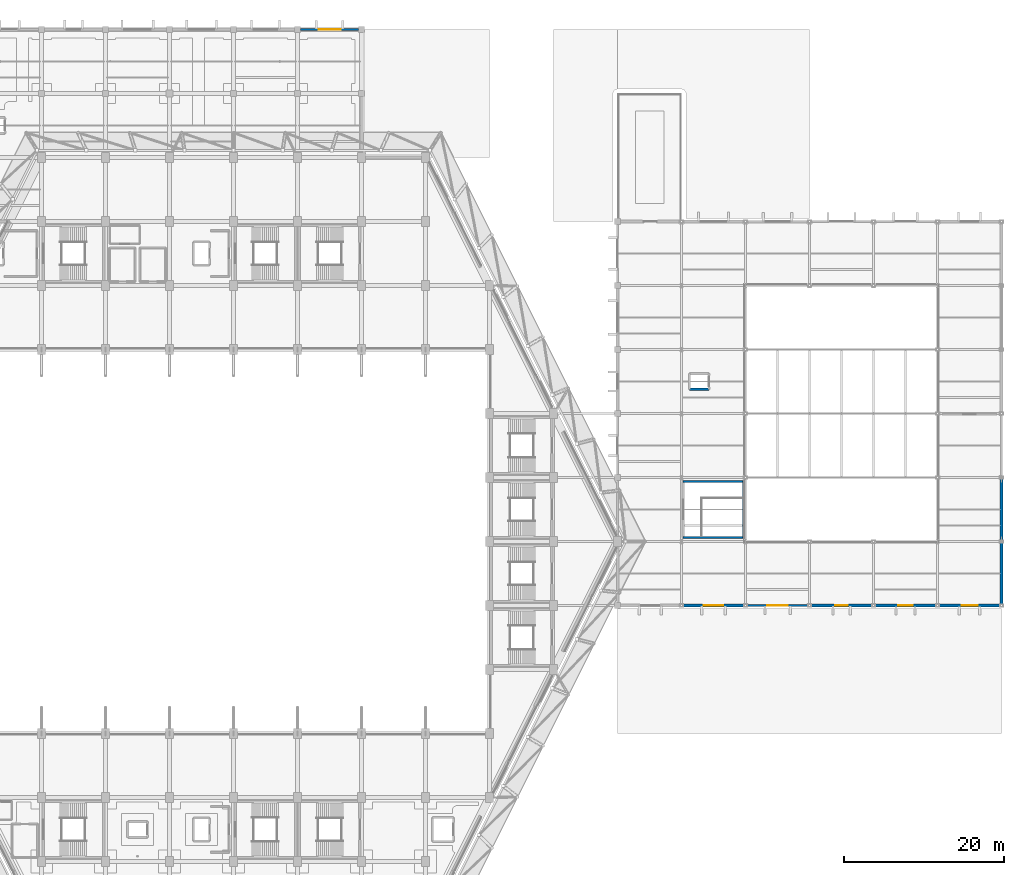
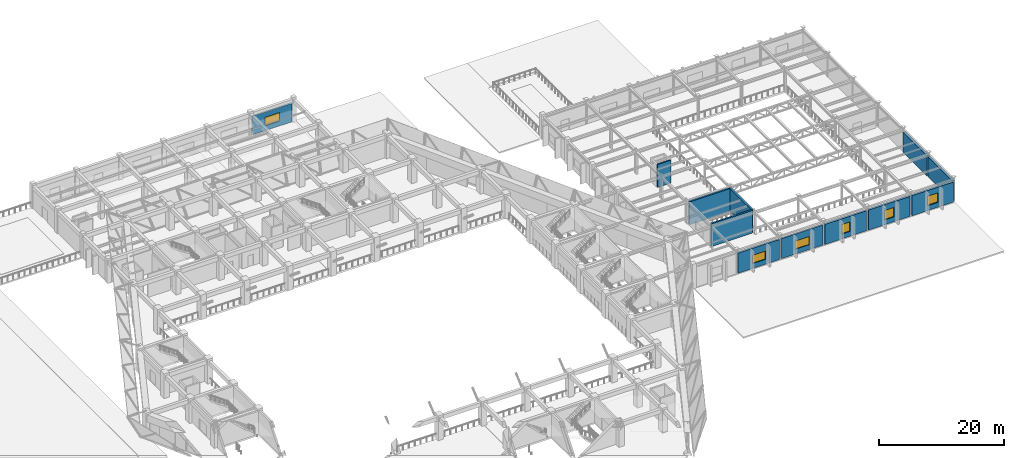
# One storey, part 35 of 46: 12 walls, 6 windows, 6 openings.
"""IFC4 building model written with IfcOpenShell, lengths in metres."""

from ifc_helpers import new_model, si_unit, direction, frame, frame_2d, origin, place, context, subcontext, project, spatial, rectangle, extrude, material, layer, layer_set, type_object, element, fill, save


model = new_model("IFC4")

# Units and contexts
model_context = context("Model", 3, precision=1e-05, world=origin(), true_north=direction((0.0, 1.0)))
body_context = subcontext(model_context, "Body", "Model", "MODEL_VIEW")
ifc_project = project(units=[si_unit("LENGTHUNIT", "METRE"), si_unit("AREAUNIT", "SQUARE_METRE"), si_unit("VOLUMEUNIT", "CUBIC_METRE"), si_unit("PLANEANGLEUNIT", "RADIAN"), si_unit("MASSUNIT", "GRAM", prefix="KILO")], contexts=[model_context])

# Site, building, storey
site_placement = place(None, origin())
site = spatial("IfcSite", under=ifc_project, at=site_placement, CompositionType="ELEMENT")
building_placement = place(site_placement, origin())
building = spatial("IfcBuilding", under=site, at=building_placement, Name="Tazarka Park Arena", CompositionType="ELEMENT")
storey_placement = place(building_placement, frame((0.0, 0.0, 10.199951171875)))
storey = spatial("IfcBuildingStorey", under=building, at=storey_placement, Name="L02", CompositionType="ELEMENT", Elevation=10.199951171875)

# Walls
ifc_material_1 = material(Name="Concrete C40/50", Category="concrete")
ifc_layer_1 = layer(ifc_material_1, 0.300048828125, Name="Concrete C40/50")
ifc_layer_set_1 = layer_set([ifc_layer_1], Name="Concrete C40/50")
wall_type_1 = type_object("IfcWallType", Name="IWAL-CW-S1", PredefinedType="SHEAR", material=ifc_layer_set_1)
for number, where, z_axis, x_axis, name in (
    (1, (151.800048828125, 64.5, 0.0), (0.0, 0.0, 1.0), (-1.0, 0.0, 0.0), "SCW-L02-ST18-S"),
    (2, (144.199951171875, 71.5, 0.0), (0.0, 0.0, 1.0), (1.0, 0.0, 0.0), "SCW-L02-ST18-N"),
):
    element("IfcWall", number, at=place(storey_placement, frame(where, z_axis=z_axis, x_axis=x_axis)), inside=storey, type_object=wall_type_1, Name=name, PredefinedType="SHEAR", context=body_context, shape_type="SweptSolid", body=[
        extrude(rectangle(XDim=7.60009765625, YDim=0.300048828125, at=frame_2d((3.800048828125, 0.0))), origin(), (0.0, 0.0, 1.0), 4.4599609375),
    ])
wall_1_placement = place(storey_placement, frame((151.800048828125, 71.5, 0.0), z_axis=(0.0, 0.0, 1.0), x_axis=(0.0, -1.0, 0.0)))
element("IfcWall", 3, at=wall_1_placement, inside=storey, type_object=wall_type_1, Name="SCW-L02-ST18-E", PredefinedType="SHEAR", context=body_context, shape_type="SweptSolid", body=[
    extrude(rectangle(XDim=7.0, YDim=0.300048828125, at=frame_2d((3.5, 0.0))), origin(), (0.0, 0.0, 1.0), 4.4599609375),
])
ifc_material_2 = material(Name="Concrete C40/50", Category="concrete")
ifc_layer_2 = layer(ifc_material_2, 0.260009765625, Name="Concrete C40/50")
ifc_layer_set_2 = layer_set([ifc_layer_2], Name="Concrete C40/50")
wall_type_2 = type_object("IfcWallType", Name="IWAL-CW-S3", PredefinedType="SHEAR", material=ifc_layer_set_2)
wall_2_placement = place(storey_placement, frame((147.419921875, 83.030029296875, 0.0), z_axis=(0.0, 0.0, 1.0), x_axis=(-1.0, 0.0, 0.0)))
element("IfcWall", 4, at=wall_2_placement, inside=storey, type_object=wall_type_2, Name="LSW-L02-LF-10-S", PredefinedType="SHEAR", context=body_context, shape_type="SweptSolid", body=[
    extrude(rectangle(XDim=2.43994140625, YDim=0.260009765625, at=frame_2d((1.219970703125, 0.0))), origin(), (0.0, 0.0, 1.0), 4.4599609375),
])

# Wall, opening, window
ifc_material_3 = material(Name="Precast concrete C40/50", Category="concrete")
ifc_layer_3 = layer(ifc_material_3, 0.300048828125, Name="Precast concrete C40/50")
ifc_layer_set_3 = layer_set([ifc_layer_3], Name="Precast concrete C40/50")
wall_type_3 = type_object("IfcWallType", Name="WAL-EW-01", PredefinedType="SOLIDWALL", material=ifc_layer_set_3)
wall_3_placement = place(storey_placement, frame((96.35498046875, 128.0, 0.0), z_axis=(0.0, 0.0, 1.0), x_axis=(1.0, 0.0, 0.0)))
wall_3 = element("IfcWall", 5, at=wall_3_placement, inside=storey, type_object=wall_type_3, Name="EW-L02-0224", PredefinedType="SOLIDWALL", context=body_context, shape_type="SweptSolid", body=[
    extrude(rectangle(XDim=7.2900390625, YDim=0.300048828125, at=frame_2d((3.64501953125, 0.0))), origin(), (0.0, 0.0, 1.0), 3.60009765625),
])
opening_1_placement = place(wall_3_placement, frame((2.27001953125, 0.0, 0.949951171875)))
opening_1 = element("IfcOpeningElement", 6, at=opening_1_placement, cuts=wall_3, Name="Opening WN-31", PredefinedType="OPENING", context=body_context, shape_type="SweptSolid", body=[
    extrude(rectangle(XDim=2.75, YDim=1.64990234375, at=frame_2d((1.375, 0.824951171875))), frame((0.0, 0.16015625, 0.0), z_axis=(0.0, -1.0, 0.0), x_axis=(1.0, 0.0, 0.0)), (0.0, 0.0, 1.0), 0.320068359375),
])
ifc_material_4 = material(Name="Thermally broken aluminium and solar-control low-e glazing", Category="aluminium")
window_type_1 = type_object("IfcWindowType", Name="WIN-WN-31", PartitioningType="DOUBLE_PANEL_VERTICAL", PredefinedType="WINDOW", material=ifc_material_4)
window_1_placement = place(opening_1_placement, origin())
window_1 = element("IfcWindow", 7, at=window_1_placement, inside=storey, type_object=window_type_1, Name="WIN-L02-0031", OverallHeight=1.64990234375, OverallWidth=2.75, PartitioningType="SINGLE_PANEL", PredefinedType="WINDOW", context=body_context, shape_type="SweptSolid", body=[
    extrude(rectangle(XDim=2.75, YDim=1.64990234375, at=frame_2d((1.375, 0.824951171875))), frame((0.0, 0.030029296875, 0.0), z_axis=(0.0, -1.0, 0.0), x_axis=(1.0, 0.0, 0.0)), (0.0, 0.0, 1.0), 0.06005859375),
])
fill(opening_1, window_1)

ifc_material_5 = material(Name="Concrete C40/50", Category="concrete")
ifc_layer_4 = layer(ifc_material_5, 0.35009765625, Name="Concrete C40/50")
ifc_layer_set_4 = layer_set([ifc_layer_4], Name="Concrete C40/50")
wall_type_4 = type_object("IfcWallType", Name="WAL-EW-10", PredefinedType="SOLIDWALL", material=ifc_layer_set_4)
wall_4_placement = place(storey_placement, frame((151.81689453125, 56.0, 0.0), z_axis=(0.0, 0.0, 1.0), x_axis=(-1.0, 0.0, 0.0)))
wall_4 = element("IfcWall", 8, at=wall_4_placement, inside=storey, type_object=wall_type_4, Name="EW-L02-0265", PredefinedType="SOLIDWALL", context=body_context, shape_type="SweptSolid", body=[
    extrude(rectangle(XDim=7.6337890625, YDim=0.35009765625, at=frame_2d((3.81689453125, 0.0))), origin(), (0.0, 0.0, 1.0), 3.91015625),
])
opening_2_placement = place(wall_4_placement, frame((2.61669921875, 0.0, 0.949951171875)))
opening_2 = element("IfcOpeningElement", 9, at=opening_2_placement, cuts=wall_4, Name="Opening WN-05", PredefinedType="OPENING", context=body_context, shape_type="SweptSolid", body=[
    extrude(rectangle(XDim=2.39990234375, YDim=1.60009765625, at=frame_2d((1.199951171875, 0.800048828125))), frame((0.0, 0.18505859375, 0.0), z_axis=(0.0, -1.0, 0.0), x_axis=(1.0, 0.0, 0.0)), (0.0, 0.0, 1.0), 0.3701171875),
])
ifc_material_6 = material(Name="Thermally broken aluminium and solar-control low-e glazing", Category="aluminium")
window_type_2 = type_object("IfcWindowType", Name="WIN-WN-05", PartitioningType="DOUBLE_PANEL_VERTICAL", PredefinedType="WINDOW", material=ifc_material_6)
window_2_placement = place(opening_2_placement, origin())
window_2 = element("IfcWindow", 10, at=window_2_placement, inside=storey, type_object=window_type_2, Name="WIN-L02-0041", OverallHeight=1.60009765625, OverallWidth=2.39990234375, PartitioningType="SINGLE_PANEL", PredefinedType="WINDOW", context=body_context, shape_type="SweptSolid", body=[
    extrude(rectangle(XDim=2.39990234375, YDim=1.60009765625, at=frame_2d((1.199951171875, 0.800048828125))), frame((0.0, 0.030029296875, 0.0), z_axis=(0.0, -1.0, 0.0), x_axis=(1.0, 0.0, 0.0)), (0.0, 0.0, 1.0), 0.06005859375),
])
fill(opening_2, window_2)

ifc_material_7 = material(Name="Precast concrete C40/50", Category="concrete")
ifc_layer_5 = layer(ifc_material_7, 0.27001953125, Name="Precast concrete C40/50")
ifc_layer_set_5 = layer_set([ifc_layer_5], Name="Precast concrete C40/50")
wall_type_5 = type_object("IfcWallType", Name="WAL-EW-11", PredefinedType="SOLIDWALL", material=ifc_layer_set_5)
wall_5_placement = place(storey_placement, frame((159.81689453125, 56.0, 0.0), z_axis=(0.0, 0.0, 1.0), x_axis=(-1.0, 0.0, 0.0)))
wall_5 = element("IfcWall", 11, at=wall_5_placement, inside=storey, type_object=wall_type_5, Name="EW-L02-0266", PredefinedType="SOLIDWALL", context=body_context, shape_type="SweptSolid", body=[
    extrude(rectangle(XDim=7.6337890625, YDim=0.27001953125, at=frame_2d((3.81689453125, 0.0))), origin(), (0.0, 0.0, 1.0), 3.91015625),
])
opening_3_placement = place(wall_5_placement, frame((2.516845703125, 0.0, 0.949951171875)))
opening_3 = element("IfcOpeningElement", 12, at=opening_3_placement, cuts=wall_5, Name="Opening WN-06", PredefinedType="OPENING", context=body_context, shape_type="SweptSolid", body=[
    extrude(rectangle(XDim=2.60009765625, YDim=1.60009765625, at=frame_2d((1.300048828125, 0.800048828125))), frame((0.0, 0.14501953125, 0.0), z_axis=(0.0, -1.0, 0.0), x_axis=(1.0, 0.0, 0.0)), (0.0, 0.0, 1.0), 0.2900390625),
])
ifc_material_8 = material(Name="Thermally broken aluminium and solar-control low-e glazing", Category="aluminium")
window_type_3 = type_object("IfcWindowType", Name="WIN-WN-06", PartitioningType="DOUBLE_PANEL_VERTICAL", PredefinedType="WINDOW", material=ifc_material_8)
window_3_placement = place(opening_3_placement, origin())
window_3 = element("IfcWindow", 13, at=window_3_placement, inside=storey, type_object=window_type_3, Name="WIN-L02-0042", OverallHeight=1.60009765625, OverallWidth=2.60009765625, PartitioningType="SINGLE_PANEL", PredefinedType="WINDOW", context=body_context, shape_type="SweptSolid", body=[
    extrude(rectangle(XDim=2.60009765625, YDim=1.60009765625, at=frame_2d((1.300048828125, 0.800048828125))), frame((0.0, 0.030029296875, 0.0), z_axis=(0.0, -1.0, 0.0), x_axis=(1.0, 0.0, 0.0)), (0.0, 0.0, 1.0), 0.06005859375),
])
fill(opening_3, window_3)

ifc_material_9 = material(Name="Concrete C40/50", Category="concrete")
ifc_layer_6 = layer(ifc_material_9, 0.3701171875, Name="Concrete C40/50")
ifc_layer_set_6 = layer_set([ifc_layer_6], Name="Concrete C40/50")
wall_type_6 = type_object("IfcWallType", Name="WAL-EW-12", PredefinedType="SOLIDWALL", material=ifc_layer_set_6)
wall_6_placement = place(storey_placement, frame((167.81689453125, 56.0, 0.0), z_axis=(0.0, 0.0, 1.0), x_axis=(-1.0, 0.0, 0.0)))
wall_6 = element("IfcWall", 14, at=wall_6_placement, inside=storey, type_object=wall_type_6, Name="EW-L02-0267", PredefinedType="SOLIDWALL", context=body_context, shape_type="SweptSolid", body=[
    extrude(rectangle(XDim=7.6337890625, YDim=0.3701171875, at=frame_2d((3.81689453125, 0.0))), origin(), (0.0, 0.0, 1.0), 3.91015625),
])
opening_4_placement = place(wall_6_placement, frame((3.016845703125, 0.0, 0.949951171875)))
opening_4 = element("IfcOpeningElement", 15, at=opening_4_placement, cuts=wall_6, Name="Opening WN-07", PredefinedType="OPENING", context=body_context, shape_type="SweptSolid", body=[
    extrude(rectangle(XDim=1.60009765625, YDim=1.85009765625, at=frame_2d((0.800048828125, 0.925048828125))), frame((0.0, 0.195068359375, 0.0), z_axis=(0.0, -1.0, 0.0), x_axis=(1.0, 0.0, 0.0)), (0.0, 0.0, 1.0), 0.39013671875),
])
ifc_material_10 = material(Name="Thermally broken aluminium and solar-control low-e glazing", Category="aluminium")
window_type_4 = type_object("IfcWindowType", Name="WIN-WN-07", PartitioningType="DOUBLE_PANEL_VERTICAL", PredefinedType="WINDOW", material=ifc_material_10)
window_4_placement = place(opening_4_placement, origin())
window_4 = element("IfcWindow", 16, at=window_4_placement, inside=storey, type_object=window_type_4, Name="WIN-L02-0043", OverallHeight=1.85009765625, OverallWidth=1.60009765625, PartitioningType="SINGLE_PANEL", PredefinedType="WINDOW", context=body_context, shape_type="SweptSolid", body=[
    extrude(rectangle(XDim=1.60009765625, YDim=1.85009765625, at=frame_2d((0.800048828125, 0.925048828125))), frame((0.0, 0.030029296875, 0.0), z_axis=(0.0, -1.0, 0.0), x_axis=(1.0, 0.0, 0.0)), (0.0, 0.0, 1.0), 0.06005859375),
])
fill(opening_4, window_4)

ifc_material_11 = material(Name="Concrete C50/60", Category="concrete")
ifc_layer_7 = layer(ifc_material_11, 0.389892578125, Name="Concrete C50/60")
ifc_layer_set_7 = layer_set([ifc_layer_7], Name="Concrete C50/60")
wall_type_7 = type_object("IfcWallType", Name="WAL-EW-13", PredefinedType="SOLIDWALL", material=ifc_layer_set_7)
wall_7_placement = place(storey_placement, frame((175.81689453125, 56.0, 0.0), z_axis=(0.0, 0.0, 1.0), x_axis=(-1.0, 0.0, 0.0)))
wall_7 = element("IfcWall", 17, at=wall_7_placement, inside=storey, type_object=wall_type_7, Name="EW-L02-0268", PredefinedType="SOLIDWALL", context=body_context, shape_type="SweptSolid", body=[
    extrude(rectangle(XDim=7.6337890625, YDim=0.389892578125, at=frame_2d((3.81689453125, 0.0))), origin(), (0.0, 0.0, 1.0), 3.91015625),
])
opening_5_placement = place(wall_7_placement, frame((2.916748046875, 0.0, 0.949951171875)))
opening_5 = element("IfcOpeningElement", 18, at=opening_5_placement, cuts=wall_7, Name="Opening WN-08", PredefinedType="OPENING", context=body_context, shape_type="SweptSolid", body=[
    extrude(rectangle(XDim=1.800048828125, YDim=1.85009765625, at=frame_2d((0.89990234375, 0.925048828125))), frame((0.0, 0.205078125, 0.0), z_axis=(0.0, -1.0, 0.0), x_axis=(1.0, 0.0, 0.0)), (0.0, 0.0, 1.0), 0.409912109375),
])
ifc_material_12 = material(Name="Thermally broken aluminium and solar-control low-e glazing", Category="aluminium")
window_type_5 = type_object("IfcWindowType", Name="WIN-WN-08", PartitioningType="DOUBLE_PANEL_VERTICAL", PredefinedType="WINDOW", material=ifc_material_12)
window_5_placement = place(opening_5_placement, origin())
window_5 = element("IfcWindow", 19, at=window_5_placement, inside=storey, type_object=window_type_5, Name="WIN-L02-0044", OverallHeight=1.85009765625, OverallWidth=1.800048828125, PartitioningType="SINGLE_PANEL", PredefinedType="WINDOW", context=body_context, shape_type="SweptSolid", body=[
    extrude(rectangle(XDim=1.800048828125, YDim=1.85009765625, at=frame_2d((0.89990234375, 0.925048828125))), frame((0.0, 0.030029296875, 0.0), z_axis=(0.0, -1.0, 0.0), x_axis=(1.0, 0.0, 0.0)), (0.0, 0.0, 1.0), 0.06005859375),
])
fill(opening_5, window_5)

ifc_material_13 = material(Name="Concrete C50/60", Category="concrete")
ifc_layer_8 = layer(ifc_material_13, 0.409912109375, Name="Concrete C50/60")
ifc_layer_set_8 = layer_set([ifc_layer_8], Name="Concrete C50/60")
wall_type_8 = type_object("IfcWallType", Name="WAL-EW-14", PredefinedType="SOLIDWALL", material=ifc_layer_set_8)
wall_8_placement = place(storey_placement, frame((183.81689453125, 56.0, 0.0), z_axis=(0.0, 0.0, 1.0), x_axis=(-1.0, 0.0, 0.0)))
wall_8 = element("IfcWall", 20, at=wall_8_placement, inside=storey, type_object=wall_type_8, Name="EW-L02-0269", PredefinedType="SOLIDWALL", context=body_context, shape_type="SweptSolid", body=[
    extrude(rectangle(XDim=7.6337890625, YDim=0.409912109375, at=frame_2d((3.81689453125, 0.0))), origin(), (0.0, 0.0, 1.0), 3.91015625),
])
opening_6_placement = place(wall_8_placement, frame((2.81689453125, 0.0, 0.949951171875)))
opening_6 = element("IfcOpeningElement", 21, at=opening_6_placement, cuts=wall_8, Name="Opening WN-09", PredefinedType="OPENING", context=body_context, shape_type="SweptSolid", body=[
    extrude(rectangle(XDim=2.0, YDim=1.85009765625, at=frame_2d((1.0, 0.925048828125))), frame((0.0, 0.21484375, 0.0), z_axis=(0.0, -1.0, 0.0), x_axis=(1.0, 0.0, 0.0)), (0.0, 0.0, 1.0), 0.429931640625),
])
ifc_material_14 = material(Name="Thermally broken aluminium and solar-control low-e glazing", Category="aluminium")
window_type_6 = type_object("IfcWindowType", Name="WIN-WN-09", PartitioningType="DOUBLE_PANEL_VERTICAL", PredefinedType="WINDOW", material=ifc_material_14)
window_6_placement = place(opening_6_placement, origin())
window_6 = element("IfcWindow", 22, at=window_6_placement, inside=storey, type_object=window_type_6, Name="WIN-L02-0045", OverallHeight=1.85009765625, OverallWidth=2.0, PartitioningType="SINGLE_PANEL", PredefinedType="WINDOW", context=body_context, shape_type="SweptSolid", body=[
    extrude(rectangle(XDim=2.0, YDim=1.85009765625, at=frame_2d((1.0, 0.925048828125))), frame((0.0, 0.030029296875, 0.0), z_axis=(0.0, -1.0, 0.0), x_axis=(1.0, 0.0, 0.0)), (0.0, 0.0, 1.0), 0.06005859375),
])
fill(opening_6, window_6)

# Walls
ifc_material_15 = material(Name="Concrete C50/60", Category="concrete")
ifc_layer_9 = layer(ifc_material_15, 0.419921875, Name="Concrete C50/60")
ifc_layer_set_9 = layer_set([ifc_layer_9], Name="Concrete C50/60")
wall_type_9 = type_object("IfcWallType", Name="WAL-EW-15", PredefinedType="SOLIDWALL", material=ifc_layer_set_9)
wall_9_placement = place(storey_placement, frame((184.0, 63.81689453125, 0.0), z_axis=(0.0, 0.0, 1.0), x_axis=(0.0, -1.0, 0.0)))
element("IfcWall", 23, at=wall_9_placement, inside=storey, type_object=wall_type_9, Name="EW-L02-0270", PredefinedType="SOLIDWALL", context=body_context, shape_type="SweptSolid", body=[
    extrude(rectangle(XDim=7.6337890625, YDim=0.419921875, at=frame_2d((3.81689453125, 0.0))), origin(), (0.0, 0.0, 1.0), 3.91015625),
])
ifc_material_16 = material(Name="Concrete C50/60", Category="concrete")
ifc_layer_10 = layer(ifc_material_16, 0.429931640625, Name="Concrete C50/60")
ifc_layer_set_10 = layer_set([ifc_layer_10], Name="Concrete C50/60")
wall_type_10 = type_object("IfcWallType", Name="WAL-EW-16", PredefinedType="SOLIDWALL", material=ifc_layer_set_10)
wall_10_placement = place(storey_placement, frame((184.0, 71.81689453125, 0.0), z_axis=(0.0, 0.0, 1.0), x_axis=(0.0, -1.0, 0.0)))
element("IfcWall", 24, at=wall_10_placement, inside=storey, type_object=wall_type_10, Name="EW-L02-0271", PredefinedType="SOLIDWALL", context=body_context, shape_type="SweptSolid", body=[
    extrude(rectangle(XDim=7.6337890625, YDim=0.429931640625, at=frame_2d((3.81689453125, 0.0))), origin(), (0.0, 0.0, 1.0), 3.91015625),
])

save(model, "model.ifc")
